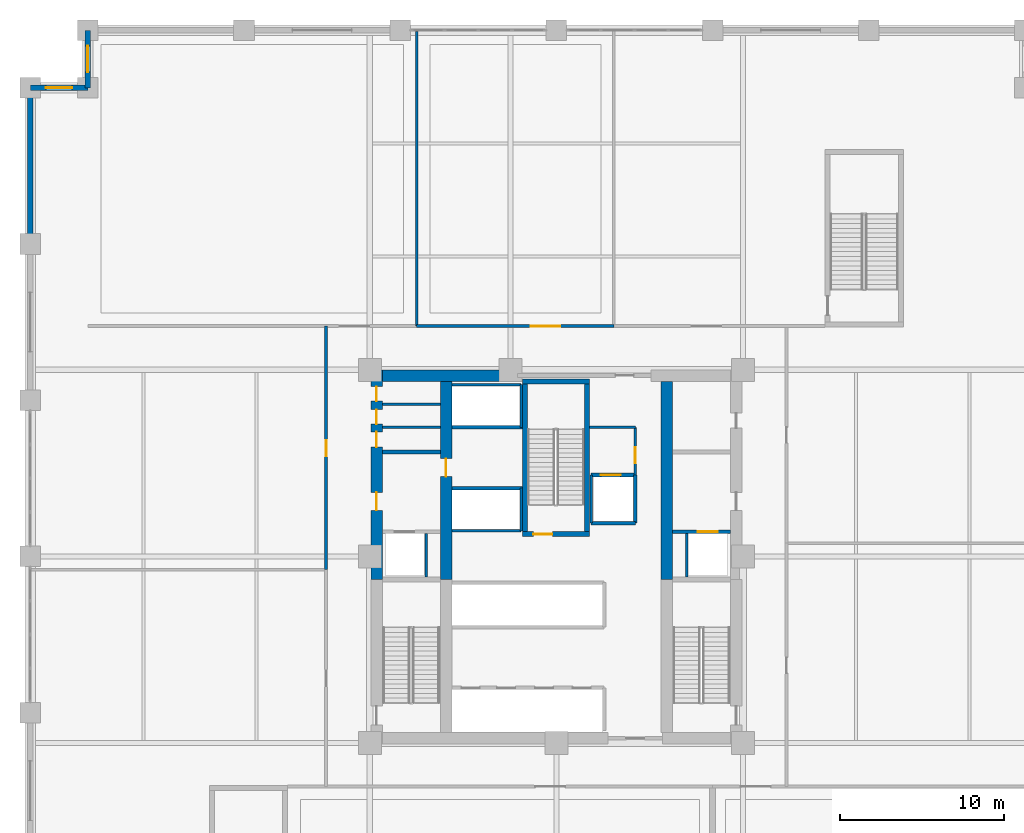
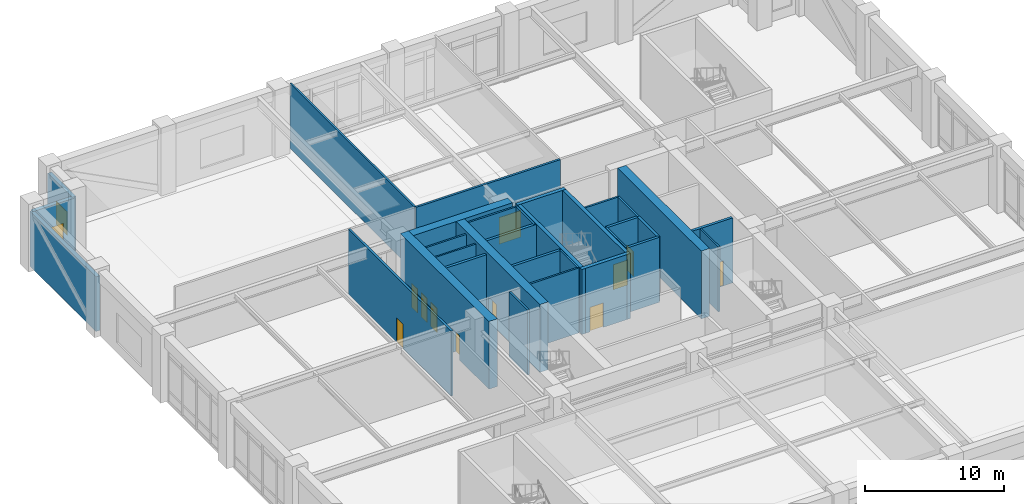
# One storey, part 13 of 21: 32 walls, 11 doors, 2 windows, 13 openings.
"""IFC4 building model written with IfcOpenShell, lengths in metres."""

from ifc_helpers import new_model, si_unit, direction, frame, frame_2d, origin, place, context, subcontext, project, spatial, rectangle, extrude, material, layer, layer_set, type_object, element, fill, save


model = new_model("IFC4")

# Units and contexts
model_context = context("Model", 3, precision=1e-05, world=origin(), true_north=direction((0.0, 1.0)))
body_context = subcontext(model_context, "Body", "Model", "MODEL_VIEW")
ifc_project = project(units=[si_unit("LENGTHUNIT", "METRE"), si_unit("AREAUNIT", "SQUARE_METRE"), si_unit("VOLUMEUNIT", "CUBIC_METRE"), si_unit("PLANEANGLEUNIT", "RADIAN"), si_unit("MASSUNIT", "GRAM", prefix="KILO")], contexts=[model_context])

# Site, building, storey
site_placement = place(None, origin())
site = spatial("IfcSite", under=ifc_project, at=site_placement, CompositionType="ELEMENT")
building_placement = place(site_placement, origin())
building = spatial("IfcBuilding", under=site, at=building_placement, Name="Nhamokura Convention Tower", CompositionType="ELEMENT")
storey_placement = place(building_placement, frame((0.0, 0.0, 17.85009765625)))
storey = spatial("IfcBuildingStorey", under=building, at=storey_placement, Name="L03", CompositionType="ELEMENT", Elevation=17.85009765625)

# Walls
ifc_material_1 = material(Name="Moisture-resistant tile-backer partition", Category="masonry")
ifc_layer_1 = layer(ifc_material_1, 0.139892578125)
ifc_layer_set_1 = layer_set([ifc_layer_1], Name="BathroomWetWall_140")
wall_type_1 = type_object("IfcWallType", Name="BathroomWetWall_140", PredefinedType="STANDARD", material=ifc_layer_set_1)
wall_1_placement = place(storey_placement, frame((21.409912109375, 39.85009765625, 0.0), z_axis=(0.0, 0.0, 1.0), x_axis=(1.0, 0.0, 0.0)))
element("IfcWall", 1, at=wall_1_placement, inside=storey, type_object=wall_type_1, Name="L03 Wall INT-L03-CWNW1", PredefinedType="STANDARD", context=body_context, shape_type="SweptSolid", body=[
    extrude(rectangle(XDim=3.530029296875, YDim=0.139892578125, at=frame_2d((1.76513671875, 0.0))), origin(), (0.0, 0.0, 1.0), 5.7099609375),
])
ifc_material_2 = material(Name="Bronze-pigmented precast concrete C45/55", Category="concrete")
ifc_layer_2 = layer(ifc_material_2, 0.320068359375)
ifc_layer_set_2 = layer_set([ifc_layer_2], Name="BronzePrecastSpandrel_320")
wall_type_2 = type_object("IfcWallType", Name="BronzePrecastSpandrel_320", PredefinedType="USERDEFINED", material=ifc_layer_set_2)
wall_2_placement = place(storey_placement, frame((0.0, 51.0, 0.0), z_axis=(0.0, 0.0, 1.0), x_axis=(0.0, 1.0, 0.0)))
element("IfcWall", 2, at=wall_2_placement, inside=storey, type_object=wall_type_2, Name="L03 Braced-Bay Precast Wall WEST 5", ObjectType="SPANDREL_WALL", PredefinedType="USERDEFINED", context=body_context, shape_type="SweptSolid", body=[
    extrude(rectangle(XDim=9.5, YDim=0.320068359375, at=frame_2d((4.75, 0.0))), origin(), (0.0, 0.0, 1.0), 4.809814453125),
])

# Wall, opening, window
wall_3_placement = place(storey_placement, frame((3.5, 60.5, 0.0), z_axis=(0.0, 0.0, 1.0), x_axis=(0.0, 1.0, 0.0)))
wall_3 = element("IfcWall", 3, at=wall_3_placement, inside=storey, type_object=wall_type_2, Name="L03 Notched Corner Wall NW1", ObjectType="SPANDREL_WALL", PredefinedType="USERDEFINED", context=body_context, shape_type="SweptSolid", body=[
    extrude(rectangle(XDim=3.5, YDim=0.320068359375, at=frame_2d((1.75, 0.0))), origin(), (0.0, 0.0, 1.0), 4.809814453125),
])
opening_1_placement = place(wall_3_placement, frame((0.949951171875, 0.0, 0.85009765625)))
opening_1 = element("IfcOpeningElement", 4, at=opening_1_placement, cuts=wall_3, Name="Opening W-11", PredefinedType="OPENING", context=body_context, shape_type="SweptSolid", body=[
    extrude(rectangle(XDim=1.60009765625, YDim=2.050048828125, at=frame_2d((0.800048828125, 1.02490234375))), frame((0.0, 0.169921875, 0.0), z_axis=(0.0, -1.0, 0.0), x_axis=(1.0, 0.0, 0.0)), (0.0, 0.0, 1.0), 0.340087890625),
])
ifc_material_3 = material(Name="Solar-control bronze low-E double glass", Category="glass")
window_type = type_object("IfcWindowType", Name="NotchCornerWindow_1600", PartitioningType="SINGLE_PANEL", PredefinedType="WINDOW", material=ifc_material_3)
window_1_placement = place(opening_1_placement, origin())
window_1 = element("IfcWindow", 5, at=window_1_placement, inside=storey, type_object=window_type, Name="L03 Notched Corner Window NW1", OverallHeight=2.050048828125, OverallWidth=1.60009765625, PartitioningType="SINGLE_PANEL", PredefinedType="WINDOW", context=body_context, shape_type="SweptSolid", body=[
    extrude(rectangle(XDim=1.60009765625, YDim=2.050048828125, at=frame_2d((0.800048828125, 1.02490234375))), frame((0.0, 0.030029296875, 0.0), z_axis=(0.0, -1.0, 0.0), x_axis=(1.0, 0.0, 0.0)), (0.0, 0.0, 1.0), 0.06005859375),
])
fill(opening_1, window_1)

wall_4_placement = place(storey_placement, frame((0.0, 60.5, 0.0), z_axis=(0.0, 0.0, 1.0), x_axis=(1.0, 0.0, 0.0)))
wall_4 = element("IfcWall", 6, at=wall_4_placement, inside=storey, type_object=wall_type_2, Name="L03 Notched Corner Wall NW2", ObjectType="SPANDREL_WALL", PredefinedType="USERDEFINED", context=body_context, shape_type="SweptSolid", body=[
    extrude(rectangle(XDim=3.5, YDim=0.320068359375, at=frame_2d((1.75, 0.0))), origin(), (0.0, 0.0, 1.0), 4.809814453125),
])
opening_2_placement = place(wall_4_placement, frame((0.949951171875, 0.0, 0.85009765625)))
opening_2 = element("IfcOpeningElement", 7, at=opening_2_placement, cuts=wall_4, Name="Opening W-11", PredefinedType="OPENING", context=body_context, shape_type="SweptSolid", body=[
    extrude(rectangle(XDim=1.60009765625, YDim=2.050048828125, at=frame_2d((0.800048828125, 1.02490234375))), frame((0.0, 0.169921875, 0.0), z_axis=(0.0, -1.0, 0.0), x_axis=(1.0, 0.0, 0.0)), (0.0, 0.0, 1.0), 0.340087890625),
])
window_2_placement = place(opening_2_placement, origin())
window_2 = element("IfcWindow", 8, at=window_2_placement, inside=storey, type_object=window_type, Name="L03 Notched Corner Window NW2", OverallHeight=2.050048828125, OverallWidth=1.60009765625, PartitioningType="SINGLE_PANEL", PredefinedType="WINDOW", context=body_context, shape_type="SweptSolid", body=[
    extrude(rectangle(XDim=1.60009765625, YDim=2.050048828125, at=frame_2d((0.800048828125, 1.02490234375))), frame((0.0, 0.030029296875, 0.0), z_axis=(0.0, -1.0, 0.0), x_axis=(1.0, 0.0, 0.0)), (0.0, 0.0, 1.0), 0.06005859375),
])
fill(opening_2, window_2)

# Wall, openings, doors
ifc_material_4 = material(Name="Concrete C70/85", Category="concrete")
ifc_layer_3 = layer(ifc_material_4, 0.699951171875)
ifc_layer_set_3 = layer_set([ifc_layer_3], Name="CoreShearWall_700")
wall_type_3 = type_object("IfcWallType", Name="CoreShearWall_700", PredefinedType="SHEAR", material=ifc_layer_set_3)
wall_5_placement = place(storey_placement, frame((21.06005859375, 30.60009765625, 0.0), z_axis=(0.0, 0.0, 1.0), x_axis=(0.0, 1.0, 0.0)))
wall_5 = element("IfcWall", 9, at=wall_5_placement, inside=storey, type_object=wall_type_3, Name="L03 Core Shear Wall CW-WN", PredefinedType="SHEAR", context=body_context, shape_type="SweptSolid", body=[
    extrude(rectangle(XDim=12.75, YDim=0.699951171875, at=frame_2d((6.375, 0.0))), origin(), (0.0, 0.0, 1.0), 5.949951171875),
])
opening_3_placement = place(wall_5_placement, frame((4.199951171875, 0.0, 0.0)))
opening_3 = element("IfcOpeningElement", 10, at=opening_3_placement, cuts=wall_5, Name="Opening D-05", PredefinedType="OPENING", context=body_context, shape_type="SweptSolid", body=[
    extrude(rectangle(XDim=1.10009765625, YDim=2.14990234375, at=frame_2d((0.550048828125, 1.074951171875))), frame((0.0, 0.35986328125, 0.0), z_axis=(0.0, -1.0, 0.0), x_axis=(1.0, 0.0, 0.0)), (0.0, 0.0, 1.0), 0.719970703125),
])
opening_4_placement = place(wall_5_placement, frame((8.050048828125, 0.0, 0.0)))
opening_4 = element("IfcOpeningElement", 11, at=opening_4_placement, cuts=wall_5, Name="Opening D-10", PredefinedType="OPENING", context=body_context, shape_type="SweptSolid", body=[
    extrude(rectangle(XDim=0.919921875, YDim=2.10009765625, at=frame_2d((0.4599609375, 1.050048828125))), frame((0.0, 0.35986328125, 0.0), z_axis=(0.0, -1.0, 0.0), x_axis=(1.0, 0.0, 0.0)), (0.0, 0.0, 1.0), 0.719970703125),
])
opening_5_placement = place(wall_5_placement, frame((9.449951171875, 0.0, 0.0)))
opening_5 = element("IfcOpeningElement", 12, at=opening_5_placement, cuts=wall_5, Name="Opening D-11", PredefinedType="OPENING", context=body_context, shape_type="SweptSolid", body=[
    extrude(rectangle(XDim=0.8798828125, YDim=2.10009765625, at=frame_2d((0.43994140625, 1.050048828125))), frame((0.0, 0.35986328125, 0.0), z_axis=(0.0, -1.0, 0.0), x_axis=(1.0, 0.0, 0.0)), (0.0, 0.0, 1.0), 0.719970703125),
])
opening_6_placement = place(wall_5_placement, frame((10.85009765625, 0.0, 0.0)))
opening_6 = element("IfcOpeningElement", 13, at=opening_6_placement, cuts=wall_5, Name="Opening D-11", PredefinedType="OPENING", context=body_context, shape_type="SweptSolid", body=[
    extrude(rectangle(XDim=0.8798828125, YDim=2.10009765625, at=frame_2d((0.43994140625, 1.050048828125))), frame((0.0, 0.35986328125, 0.0), z_axis=(0.0, -1.0, 0.0), x_axis=(1.0, 0.0, 0.0)), (0.0, 0.0, 1.0), 0.719970703125),
])
ifc_material_5 = material(Name="Solid oak hardwood", Category="wood")
door_type_1 = type_object("IfcDoorType", Name="AccessibleWCDoor_920", OperationType="NOTDEFINED", PredefinedType="DOOR", material=ifc_material_5)
door_1_placement = place(opening_4_placement, origin())
door_1 = element("IfcDoor", 14, at=door_1_placement, inside=storey, type_object=door_type_1, Name="L03 Core Door INT-L03-D-AWC", OperationType="SINGLE_SWING_LEFT", OverallHeight=2.10009765625, OverallWidth=0.919921875, PredefinedType="DOOR", context=body_context, shape_type="SweptSolid", body=[
    extrude(rectangle(XDim=0.919921875, YDim=2.10009765625, at=frame_2d((0.4599609375, 1.050048828125))), frame((0.0, 0.02490234375, 0.0), z_axis=(0.0, -1.0, 0.0), x_axis=(1.0, 0.0, 0.0)), (0.0, 0.0, 1.0), 0.050048828125),
])
fill(opening_4, door_1)
ifc_material_6 = material(Name="Solid oak hardwood", Category="wood")
door_type_2 = type_object("IfcDoorType", Name="BathroomDoor_880", OperationType="NOTDEFINED", PredefinedType="DOOR", material=ifc_material_6)
door_2_placement = place(opening_5_placement, origin())
door_2 = element("IfcDoor", 15, at=door_2_placement, inside=storey, type_object=door_type_2, Name="L03 Core Door INT-L03-D-CLN", OperationType="SINGLE_SWING_RIGHT", OverallHeight=2.10009765625, OverallWidth=0.8798828125, PredefinedType="DOOR", context=body_context, shape_type="SweptSolid", body=[
    extrude(rectangle(XDim=0.8798828125, YDim=2.10009765625, at=frame_2d((0.43994140625, 1.050048828125))), frame((0.0, 0.02490234375, 0.0), z_axis=(0.0, -1.0, 0.0), x_axis=(1.0, 0.0, 0.0)), (0.0, 0.0, 1.0), 0.050048828125),
])
fill(opening_5, door_2)
door_3_placement = place(opening_6_placement, origin())
door_3 = element("IfcDoor", 16, at=door_3_placement, inside=storey, type_object=door_type_2, Name="L03 Core Door INT-L03-D-PNT", OperationType="SINGLE_SWING_LEFT", OverallHeight=2.10009765625, OverallWidth=0.8798828125, PredefinedType="DOOR", context=body_context, shape_type="SweptSolid", body=[
    extrude(rectangle(XDim=0.8798828125, YDim=2.10009765625, at=frame_2d((0.43994140625, 1.050048828125))), frame((0.0, 0.02490234375, 0.0), z_axis=(0.0, -1.0, 0.0), x_axis=(1.0, 0.0, 0.0)), (0.0, 0.0, 1.0), 0.050048828125),
])
fill(opening_6, door_3)
ifc_material_7 = material(Name="Fire-rated steel door", Category="steel")
door_type_3 = type_object("IfcDoorType", Name="FireLobbyDoor_1100", OperationType="NOTDEFINED", PredefinedType="DOOR", material=ifc_material_7)
door_4_placement = place(opening_3_placement, origin())
door_4 = element("IfcDoor", 17, at=door_4_placement, inside=storey, type_object=door_type_3, Name="L03 Core Door INT-L03-D-FFLW", OperationType="SINGLE_SWING_RIGHT", OverallHeight=2.14990234375, OverallWidth=1.10009765625, PredefinedType="DOOR", context=body_context, shape_type="SweptSolid", body=[
    extrude(rectangle(XDim=1.10009765625, YDim=2.14990234375, at=frame_2d((0.550048828125, 1.074951171875))), frame((0.0, 0.02490234375, 0.0), z_axis=(0.0, -1.0, 0.0), x_axis=(1.0, 0.0, 0.0)), (0.0, 0.0, 1.0), 0.050048828125),
])
fill(opening_3, door_4)

# Wall
wall_6_placement = place(storey_placement, frame((21.409912109375, 43.0, 0.0), z_axis=(0.0, 0.0, 1.0), x_axis=(1.0, 0.0, 0.0)))
element("IfcWall", 18, at=wall_6_placement, inside=storey, type_object=wall_type_3, Name="L03 Core Shear Wall CW-N1", PredefinedType="SHEAR", context=body_context, shape_type="SweptSolid", body=[
    extrude(rectangle(XDim=8.239990234375, YDim=0.699951171875, at=frame_2d((4.1201171875, 0.0))), origin(), (0.0, 0.0, 1.0), 5.949951171875),
])

# Wall, opening, door
wall_7_placement = place(storey_placement, frame((25.2900390625, 30.60009765625, 0.0), z_axis=(0.0, 0.0, 1.0), x_axis=(0.0, 1.0, 0.0)))
wall_7 = element("IfcWall", 19, at=wall_7_placement, inside=storey, type_object=wall_type_3, Name="L03 Core Shear Wall CW-IWN", PredefinedType="SHEAR", context=body_context, shape_type="SweptSolid", body=[
    extrude(rectangle(XDim=12.0498046875, YDim=0.699951171875, at=frame_2d((6.02490234375, 0.0))), origin(), (0.0, 0.0, 1.0), 5.949951171875),
])
opening_7_placement = place(wall_7_placement, frame((6.25, 0.0, 0.0)))
opening_7 = element("IfcOpeningElement", 20, at=opening_7_placement, cuts=wall_7, Name="Opening D-05", PredefinedType="OPENING", context=body_context, shape_type="SweptSolid", body=[
    extrude(rectangle(XDim=1.10009765625, YDim=2.14990234375, at=frame_2d((0.550048828125, 1.074951171875))), frame((0.0, 0.35986328125, 0.0), z_axis=(0.0, -1.0, 0.0), x_axis=(1.0, 0.0, 0.0)), (0.0, 0.0, 1.0), 0.719970703125),
])
door_5_placement = place(opening_7_placement, origin())
door_5 = element("IfcDoor", 21, at=door_5_placement, inside=storey, type_object=door_type_3, Name="L03 Core Door INT-L03-D-B3LOB", OperationType="SINGLE_SWING_LEFT", OverallHeight=2.14990234375, OverallWidth=1.10009765625, PredefinedType="DOOR", context=body_context, shape_type="SweptSolid", body=[
    extrude(rectangle(XDim=1.10009765625, YDim=2.14990234375, at=frame_2d((0.550048828125, 1.074951171875))), frame((0.0, 0.02490234375, 0.0), z_axis=(0.0, -1.0, 0.0), x_axis=(1.0, 0.0, 0.0)), (0.0, 0.0, 1.0), 0.050048828125),
])
fill(opening_7, door_5)

# Wall
wall_8_placement = place(storey_placement, frame((38.7099609375, 30.60009765625, 0.0), z_axis=(0.0, 0.0, 1.0), x_axis=(0.0, 1.0, 0.0)))
element("IfcWall", 22, at=wall_8_placement, inside=storey, type_object=wall_type_3, Name="L03 Core Shear Wall CW-IEN", PredefinedType="SHEAR", context=body_context, shape_type="SweptSolid", body=[
    extrude(rectangle(XDim=12.0498046875, YDim=0.699951171875, at=frame_2d((6.02490234375, 0.0))), origin(), (0.0, 0.0, 1.0), 5.949951171875),
])

# Wall, opening, door
ifc_material_8 = material(Name="Fire-rated gypsum and masonry partition", Category="masonry")
ifc_layer_4 = layer(ifc_material_8, 0.179931640625)
ifc_layer_set_4 = layer_set([ifc_layer_4], Name="CorridorRatedWall_180")
wall_type_4 = type_object("IfcWallType", Name="CorridorRatedWall_180", PredefinedType="STANDARD", material=ifc_layer_set_4)
wall_9_placement = place(storey_placement, frame((23.5, 46.0, 0.0), z_axis=(0.0, 0.0, 1.0), x_axis=(1.0, 0.0, 0.0)))
wall_9 = element("IfcWall", 23, at=wall_9_placement, inside=storey, type_object=wall_type_4, Name="L03 Wall INT-L03-CW-N01", PredefinedType="STANDARD", context=body_context, shape_type="SweptSolid", body=[
    extrude(rectangle(XDim=12.0, YDim=0.179931640625, at=frame_2d((6.0, 0.0))), origin(), (0.0, 0.0, 1.0), 5.7099609375),
])
opening_8_placement = place(wall_9_placement, frame((6.949951171875, 0.0, 0.0)))
opening_8 = element("IfcOpeningElement", 24, at=opening_8_placement, cuts=wall_9, Name="Opening D-03", PredefinedType="OPENING", context=body_context, shape_type="SweptSolid", body=[
    extrude(rectangle(XDim=1.800048828125, YDim=2.35009765625, at=frame_2d((0.89990234375, 1.175048828125))), frame((0.0, 0.099853515625, 0.0), z_axis=(0.0, -1.0, 0.0), x_axis=(1.0, 0.0, 0.0)), (0.0, 0.0, 1.0), 0.199951171875),
])
ifc_material_9 = material(Name="Solid oak hardwood", Category="wood")
door_type_4 = type_object("IfcDoorType", Name="BallroomDoubleDoor_1800", OperationType="DOUBLE_DOOR_SINGLE_SWING", PredefinedType="DOOR", material=ifc_material_9)
door_6_placement = place(opening_8_placement, origin())
door_6 = element("IfcDoor", 25, at=door_6_placement, inside=storey, type_object=door_type_4, Name="L03 Private Office N02 Door", OperationType="SINGLE_SWING_RIGHT", OverallHeight=2.35009765625, OverallWidth=1.800048828125, PredefinedType="DOOR", context=body_context, shape_type="SweptSolid", body=[
    extrude(rectangle(XDim=1.800048828125, YDim=2.35009765625, at=frame_2d((0.89990234375, 1.175048828125))), frame((0.0, 0.02490234375, 0.0), z_axis=(0.0, -1.0, 0.0), x_axis=(1.0, 0.0, 0.0)), (0.0, 0.0, 1.0), 0.050048828125),
])
fill(opening_8, door_6)

wall_10_placement = place(storey_placement, frame((18.0, 31.199951171875, 0.0), z_axis=(0.0, 0.0, 1.0), x_axis=(0.0, 1.0, 0.0)))
wall_10 = element("IfcWall", 26, at=wall_10_placement, inside=storey, type_object=wall_type_4, Name="L03 Wall INT-L03-CW-W01", PredefinedType="STANDARD", context=body_context, shape_type="SweptSolid", body=[
    extrude(rectangle(XDim=14.800048828125, YDim=0.179931640625, at=frame_2d((7.39990234375, 0.0))), origin(), (0.0, 0.0, 1.0), 5.7099609375),
])
opening_9_placement = place(wall_10_placement, frame((6.89990234375, 0.0, 0.0)))
opening_9 = element("IfcOpeningElement", 27, at=opening_9_placement, cuts=wall_10, Name="Opening D-09", PredefinedType="OPENING", context=body_context, shape_type="SweptSolid", body=[
    extrude(rectangle(XDim=0.949951171875, YDim=2.14990234375, at=frame_2d((0.47509765625, 1.074951171875))), frame((0.0, 0.099853515625, 0.0), z_axis=(0.0, -1.0, 0.0), x_axis=(1.0, 0.0, 0.0)), (0.0, 0.0, 1.0), 0.199951171875),
])
ifc_material_10 = material(Name="Solid oak hardwood", Category="wood")
door_type_5 = type_object("IfcDoorType", Name="MeetingRoomDoor_950", OperationType="NOTDEFINED", PredefinedType="DOOR", material=ifc_material_10)
door_7_placement = place(opening_9_placement, origin())
door_7 = element("IfcDoor", 28, at=door_7_placement, inside=storey, type_object=door_type_5, Name="L03 Meeting Room W02 Door", OperationType="SINGLE_SWING_RIGHT", OverallHeight=2.14990234375, OverallWidth=0.949951171875, PredefinedType="DOOR", context=body_context, shape_type="SweptSolid", body=[
    extrude(rectangle(XDim=0.949951171875, YDim=2.14990234375, at=frame_2d((0.47509765625, 1.074951171875))), frame((0.0, 0.02490234375, 0.0), z_axis=(0.0, -1.0, 0.0), x_axis=(1.0, 0.0, 0.0)), (0.0, 0.0, 1.0), 0.050048828125),
])
fill(opening_9, door_7)

ifc_material_11 = material(Name="Autoclaved concrete blockwork", Category="masonry")
ifc_layer_5 = layer(ifc_material_11, 0.219970703125)
ifc_layer_set_5 = layer_set([ifc_layer_5], Name="FireLobbyWall_220")
wall_type_5 = type_object("IfcWallType", Name="FireLobbyWall_220", PredefinedType="STANDARD", material=ifc_layer_set_5)
wall_11_placement = place(storey_placement, frame((39.06005859375, 33.5, 0.0), z_axis=(0.0, 0.0, 1.0), x_axis=(1.0, 0.0, 0.0)))
wall_11 = element("IfcWall", 29, at=wall_11_placement, inside=storey, type_object=wall_type_5, Name="L03 Wall INT-L03-FFE-S", PredefinedType="STANDARD", context=body_context, shape_type="SweptSolid", body=[
    extrude(rectangle(XDim=3.530029296875, YDim=0.219970703125, at=frame_2d((1.76513671875, 0.0))), origin(), (0.0, 0.0, 1.0), 5.7099609375),
])
opening_10_placement = place(wall_11_placement, frame((1.550048828125, 0.0, 0.0)))
opening_10 = element("IfcOpeningElement", 30, at=opening_10_placement, cuts=wall_11, Name="Opening LD-02", PredefinedType="OPENING", context=body_context, shape_type="SweptSolid", body=[
    extrude(rectangle(XDim=1.199951171875, YDim=2.199951171875, at=frame_2d((0.60009765625, 1.10009765625))), frame((0.0, 0.119873046875, 0.0), z_axis=(0.0, -1.0, 0.0), x_axis=(1.0, 0.0, 0.0)), (0.0, 0.0, 1.0), 0.239990234375),
])
ifc_material_12 = material(Name="Anodised bronze stainless steel", Category="steel")
door_type_6 = type_object("IfcDoorType", Name="LiftLandingDoor_FireService", OperationType="DOUBLE_DOOR_SLIDING", PredefinedType="DOOR", material=ifc_material_12)
door_8_placement = place(opening_10_placement, origin())
door_8 = element("IfcDoor", 31, at=door_8_placement, inside=storey, type_object=door_type_6, Name="L03 Firefighting Lift LF-02 Door", OperationType="DOUBLE_DOOR_SLIDING", OverallHeight=2.199951171875, OverallWidth=1.199951171875, PredefinedType="DOOR", context=body_context, shape_type="SweptSolid", body=[
    extrude(rectangle(XDim=1.199951171875, YDim=2.199951171875, at=frame_2d((0.60009765625, 1.10009765625))), frame((0.0, 0.02490234375, 0.0), z_axis=(0.0, -1.0, 0.0), x_axis=(1.0, 0.0, 0.0)), (0.0, 0.0, 1.0), 0.050048828125),
])
fill(opening_10, door_8)

# Walls
wall_12_placement = place(storey_placement, frame((21.409912109375, 38.35009765625, 0.0), z_axis=(0.0, 0.0, 1.0), x_axis=(1.0, 0.0, 0.0)))
element("IfcWall", 32, at=wall_12_placement, inside=storey, type_object=wall_type_5, Name="L03 Wall INT-L03-FFW-N", PredefinedType="STANDARD", context=body_context, shape_type="SweptSolid", body=[
    extrude(rectangle(XDim=3.530029296875, YDim=0.219970703125, at=frame_2d((1.76513671875, 0.0))), origin(), (0.0, 0.0, 1.0), 5.7099609375),
])
for number, where, z_axis, x_axis, name in (
    (33, (25.64990234375, 36.14990234375, 0.0), (0.0, 0.0, 1.0), (1.0, 0.0, 0.0), "L03 Wall INT-L03-B3S"),
    (34, (25.64990234375, 39.85009765625, 0.0), (0.0, 0.0, 1.0), (1.0, 0.0, 0.0), "L03 Wall INT-L03-B3N"),
):
    element("IfcWall", number, at=place(storey_placement, frame(where, z_axis=z_axis, x_axis=x_axis)), inside=storey, type_object=wall_type_5, Name=name, PredefinedType="STANDARD", context=body_context, shape_type="SweptSolid", body=[
        extrude(rectangle(XDim=4.300048828125, YDim=0.219970703125, at=frame_2d((2.14990234375, 0.0))), origin(), (0.0, 0.0, 1.0), 5.7099609375),
    ])

# Wall, opening, door
wall_13_placement = place(storey_placement, frame((34.1201171875, 36.949951171875, 0.0), z_axis=(0.0, 0.0, 1.0), x_axis=(1.0, 0.0, 0.0)))
wall_13 = element("IfcWall", 35, at=wall_13_placement, inside=storey, type_object=wall_type_5, Name="L03 Wall INT-L03-LSN", PredefinedType="STANDARD", context=body_context, shape_type="SweptSolid", body=[
    extrude(rectangle(XDim=2.679931640625, YDim=0.219970703125, at=frame_2d((1.33984375, 0.0))), origin(), (0.0, 0.0, 1.0), 5.7099609375),
])
opening_11_placement = place(wall_13_placement, frame((0.580078125, 0.0, 0.0)))
opening_11 = element("IfcOpeningElement", 36, at=opening_11_placement, cuts=wall_13, Name="Opening LD-02", PredefinedType="OPENING", context=body_context, shape_type="SweptSolid", body=[
    extrude(rectangle(XDim=1.199951171875, YDim=2.199951171875, at=frame_2d((0.60009765625, 1.10009765625))), frame((0.0, 0.119873046875, 0.0), z_axis=(0.0, -1.0, 0.0), x_axis=(1.0, 0.0, 0.0)), (0.0, 0.0, 1.0), 0.239990234375),
])
door_9_placement = place(opening_11_placement, origin())
door_9 = element("IfcDoor", 37, at=door_9_placement, inside=storey, type_object=door_type_6, Name="L03 Service Lift LS-01 Door", OperationType="DOUBLE_DOOR_SLIDING", OverallHeight=2.199951171875, OverallWidth=1.199951171875, PredefinedType="DOOR", context=body_context, shape_type="SweptSolid", body=[
    extrude(rectangle(XDim=1.199951171875, YDim=2.199951171875, at=frame_2d((0.60009765625, 1.10009765625))), frame((0.0, 0.02490234375, 0.0), z_axis=(0.0, -1.0, 0.0), x_axis=(1.0, 0.0, 0.0)), (0.0, 0.0, 1.0), 0.050048828125),
])
fill(opening_11, door_9)

# Walls
wall_14_placement = place(storey_placement, frame((36.800048828125, 34.02001953125, 0.0), z_axis=(0.0, 0.0, 1.0), x_axis=(0.0, 1.0, 0.0)))
element("IfcWall", 38, at=wall_14_placement, inside=storey, type_object=wall_type_5, Name="L03 Wall INT-L03-LSE", PredefinedType="STANDARD", context=body_context, shape_type="SweptSolid", body=[
    extrude(rectangle(XDim=2.929931640625, YDim=0.219970703125, at=frame_2d((1.46484375, 0.0))), origin(), (0.0, 0.0, 1.0), 5.7099609375),
])
wall_15_placement = place(storey_placement, frame((34.1201171875, 34.02001953125, 0.0), z_axis=(0.0, 0.0, 1.0), x_axis=(1.0, 0.0, 0.0)))
element("IfcWall", 39, at=wall_15_placement, inside=storey, type_object=wall_type_5, Name="L03 Wall INT-L03-LSS", PredefinedType="STANDARD", context=body_context, shape_type="SweptSolid", body=[
    extrude(rectangle(XDim=2.679931640625, YDim=0.219970703125, at=frame_2d((1.33984375, 0.0))), origin(), (0.0, 0.0, 1.0), 5.7099609375),
])
ifc_material_13 = material(Name="Acoustic gypsum stud partition", Category="masonry")
ifc_layer_6 = layer(ifc_material_13, 0.14990234375)
ifc_layer_set_6 = layer_set([ifc_layer_6], Name="InteriorPartition_150")
wall_type_6 = type_object("IfcWallType", Name="InteriorPartition_150", PredefinedType="STANDARD", material=ifc_layer_set_6)
for number, where, z_axis, x_axis, name in (
    (40, (24.080078125, 30.75, 0.0), (0.0, 0.0, 1.0), (0.0, 1.0, 0.0), "L03 Wall INT-L03-FF1-E"),
    (41, (39.919921875, 30.75, 0.0), (0.0, 0.0, 1.0), (0.0, 1.0, 0.0), "L03 Wall INT-L03-FF2-W"),
):
    element("IfcWall", number, at=place(storey_placement, frame(where, z_axis=z_axis, x_axis=x_axis)), inside=storey, type_object=wall_type_6, Name=name, PredefinedType="STANDARD", context=body_context, shape_type="SweptSolid", body=[
        extrude(rectangle(XDim=2.64990234375, YDim=0.14990234375, at=frame_2d((1.324951171875, 0.0))), origin(), (0.0, 0.0, 1.0), 5.7099609375),
    ])
wall_16_placement = place(storey_placement, frame((21.409912109375, 41.25, 0.0), z_axis=(0.0, 0.0, 1.0), x_axis=(1.0, 0.0, 0.0)))
element("IfcWall", 42, at=wall_16_placement, inside=storey, type_object=wall_type_6, Name="L03 Wall INT-L03-CWNW2", PredefinedType="STANDARD", context=body_context, shape_type="SweptSolid", body=[
    extrude(rectangle(XDim=3.530029296875, YDim=0.14990234375, at=frame_2d((1.76513671875, 0.0))), origin(), (0.0, 0.0, 1.0), 5.7099609375),
])
wall_17_placement = place(storey_placement, frame((34.0, 39.85009765625, 0.0), z_axis=(0.0, 0.0, 1.0), x_axis=(1.0, 0.0, 0.0)))
element("IfcWall", 43, at=wall_17_placement, inside=storey, type_object=wall_type_6, Name="L03 Wall INT-L03-NE-TELN", PredefinedType="STANDARD", context=body_context, shape_type="SweptSolid", body=[
    extrude(rectangle(XDim=2.800048828125, YDim=0.14990234375, at=frame_2d((1.39990234375, 0.0))), origin(), (0.0, 0.0, 1.0), 5.7099609375),
])

# Wall, opening, door
wall_18_placement = place(storey_placement, frame((36.800048828125, 36.949951171875, 0.0), z_axis=(0.0, 0.0, 1.0), x_axis=(0.0, 1.0, 0.0)))
wall_18 = element("IfcWall", 44, at=wall_18_placement, inside=storey, type_object=wall_type_6, Name="L03 Wall INT-L03-NE-TELE", PredefinedType="STANDARD", context=body_context, shape_type="SweptSolid", body=[
    extrude(rectangle(XDim=2.900146484375, YDim=0.14990234375, at=frame_2d((1.4501953125, 0.0))), origin(), (0.0, 0.0, 1.0), 5.7099609375),
])
opening_12_placement = place(wall_18_placement, frame((0.699951171875, 0.0, 0.0)))
opening_12 = element("IfcOpeningElement", 45, at=opening_12_placement, cuts=wall_18, Name="Opening D-08", PredefinedType="OPENING", context=body_context, shape_type="SweptSolid", body=[
    extrude(rectangle(XDim=0.97998046875, YDim=2.199951171875, at=frame_2d((0.489990234375, 1.10009765625))), frame((0.0, 0.0849609375, 0.0), z_axis=(0.0, -1.0, 0.0), x_axis=(1.0, 0.0, 0.0)), (0.0, 0.0, 1.0), 0.169921875),
])
ifc_material_14 = material(Name="Solid oak hardwood", Category="wood")
door_type_7 = type_object("IfcDoorType", Name="OfficeEntryDoor_980", OperationType="NOTDEFINED", PredefinedType="DOOR", material=ifc_material_14)
door_10_placement = place(opening_12_placement, origin())
door_10 = element("IfcDoor", 46, at=door_10_placement, inside=storey, type_object=door_type_7, Name="L03 Core Telecom Door", OperationType="SINGLE_SWING_LEFT", OverallHeight=2.199951171875, OverallWidth=0.97998046875, PredefinedType="DOOR", context=body_context, shape_type="SweptSolid", body=[
    extrude(rectangle(XDim=0.97998046875, YDim=2.199951171875, at=frame_2d((0.489990234375, 1.10009765625))), frame((0.0, 0.02490234375, 0.0), z_axis=(0.0, -1.0, 0.0), x_axis=(1.0, 0.0, 0.0)), (0.0, 0.0, 1.0), 0.050048828125),
])
fill(opening_12, door_10)

# Walls
wall_19_placement = place(storey_placement, frame((25.64990234375, 33.550048828125, 0.0), z_axis=(0.0, 0.0, 1.0), x_axis=(1.0, 0.0, 0.0)))
element("IfcWall", 47, at=wall_19_placement, inside=storey, type_object=wall_type_6, Name="L03 Wall INT-L03-B3A-S", PredefinedType="STANDARD", context=body_context, shape_type="SweptSolid", body=[
    extrude(rectangle(XDim=4.2001953125, YDim=0.14990234375, at=frame_2d((2.10009765625, 0.0))), origin(), (0.0, 0.0, 1.0), 5.7099609375),
])
wall_20_placement = place(storey_placement, frame((29.85009765625, 33.550048828125, 0.0), z_axis=(0.0, 0.0, 1.0), x_axis=(0.0, 1.0, 0.0)))
element("IfcWall", 48, at=wall_20_placement, inside=storey, type_object=wall_type_6, Name="L03 Wall INT-L03-B3A-E", PredefinedType="STANDARD", context=body_context, shape_type="SweptSolid", body=[
    extrude(rectangle(XDim=2.599853515625, YDim=0.14990234375, at=frame_2d((1.2998046875, 0.0))), origin(), (0.0, 0.0, 1.0), 5.7099609375),
])
wall_21_placement = place(storey_placement, frame((25.64990234375, 42.449951171875, 0.0), z_axis=(0.0, 0.0, 1.0), x_axis=(1.0, 0.0, 0.0)))
element("IfcWall", 49, at=wall_21_placement, inside=storey, type_object=wall_type_6, Name="L03 Wall INT-L03-B3B-N", PredefinedType="STANDARD", context=body_context, shape_type="SweptSolid", body=[
    extrude(rectangle(XDim=4.2001953125, YDim=0.14990234375, at=frame_2d((2.10009765625, 0.0))), origin(), (0.0, 0.0, 1.0), 5.7099609375),
])
wall_22_placement = place(storey_placement, frame((29.85009765625, 39.85009765625, 0.0), z_axis=(0.0, 0.0, 1.0), x_axis=(0.0, 1.0, 0.0)))
element("IfcWall", 50, at=wall_22_placement, inside=storey, type_object=wall_type_6, Name="L03 Wall INT-L03-B3B-E", PredefinedType="STANDARD", context=body_context, shape_type="SweptSolid", body=[
    extrude(rectangle(XDim=2.599853515625, YDim=0.14990234375, at=frame_2d((1.2998046875, 0.0))), origin(), (0.0, 0.0, 1.0), 5.7099609375),
])
wall_23_placement = place(storey_placement, frame((34.1201171875, 34.02001953125, 0.0), z_axis=(0.0, 0.0, 1.0), x_axis=(0.0, 1.0, 0.0)))
element("IfcWall", 51, at=wall_23_placement, inside=storey, type_object=wall_type_6, Name="L03 Wall INT-L03-LSW", PredefinedType="STANDARD", context=body_context, shape_type="SweptSolid", body=[
    extrude(rectangle(XDim=2.929931640625, YDim=0.14990234375, at=frame_2d((1.46484375, 0.0))), origin(), (0.0, 0.0, 1.0), 5.7099609375),
])
wall_24_placement = place(storey_placement, frame((23.5, 46.0, 0.0), z_axis=(0.0, 0.0, 1.0), x_axis=(0.0, 1.0, 0.0)))
element("IfcWall", 52, at=wall_24_placement, inside=storey, type_object=wall_type_6, Name="L03 Wall INT-L03-RW-N01", PredefinedType="STANDARD", context=body_context, shape_type="SweptSolid", body=[
    extrude(rectangle(XDim=17.93994140625, YDim=0.14990234375, at=frame_2d((8.969970703125, 0.0))), origin(), (0.0, 0.0, 1.0), 5.7099609375),
])
ifc_material_15 = material(Name="Concrete C50/60", Category="concrete")
ifc_layer_7 = layer(ifc_material_15, 0.300048828125)
ifc_layer_set_7 = layer_set([ifc_layer_7], Name="ShaftEnclosureWall_300")
wall_type_7 = type_object("IfcWallType", Name="ShaftEnclosureWall_300", PredefinedType="SHEAR", material=ifc_layer_set_7)
for number, where, z_axis, x_axis, name in (
    (53, (30.10009765625, 33.199951171875, 0.0), (0.0, 0.0, 1.0), (0.0, 1.0, 0.0), "L03 Wall INT-L03-ST03W"),
    (54, (33.85009765625, 33.199951171875, 0.0), (0.0, 0.0, 1.0), (0.0, 1.0, 0.0), "L03 Wall INT-L03-ST03E"),
):
    element("IfcWall", number, at=place(storey_placement, frame(where, z_axis=z_axis, x_axis=x_axis)), inside=storey, type_object=wall_type_7, Name=name, PredefinedType="SHEAR", context=body_context, shape_type="SweptSolid", body=[
        extrude(rectangle(XDim=9.60009765625, YDim=0.300048828125, at=frame_2d((4.800048828125, 0.0))), origin(), (0.0, 0.0, 1.0), 5.7099609375),
    ])

# Wall, opening, door
wall_25_placement = place(storey_placement, frame((29.949951171875, 33.35009765625, 0.0), z_axis=(0.0, 0.0, 1.0), x_axis=(1.0, 0.0, 0.0)))
wall_25 = element("IfcWall", 55, at=wall_25_placement, inside=storey, type_object=wall_type_7, Name="L03 Wall INT-L03-ST03S", PredefinedType="SHEAR", context=body_context, shape_type="SweptSolid", body=[
    extrude(rectangle(XDim=4.050048828125, YDim=0.300048828125, at=frame_2d((2.02490234375, 0.0))), origin(), (0.0, 0.0, 1.0), 5.7099609375),
])
opening_13_placement = place(wall_25_placement, frame((0.64990234375, 0.0, 0.0)))
opening_13 = element("IfcOpeningElement", 56, at=opening_13_placement, cuts=wall_25, Name="Opening D-04", PredefinedType="OPENING", context=body_context, shape_type="SweptSolid", body=[
    extrude(rectangle(XDim=1.14990234375, YDim=2.14990234375, at=frame_2d((0.574951171875, 1.074951171875))), frame((0.0, 0.159912109375, 0.0), z_axis=(0.0, -1.0, 0.0), x_axis=(1.0, 0.0, 0.0)), (0.0, 0.0, 1.0), 0.320068359375),
])
ifc_material_16 = material(Name="Fire-rated steel door", Category="steel")
door_type_8 = type_object("IfcDoorType", Name="StairSmokeDoor_1150", OperationType="NOTDEFINED", PredefinedType="DOOR", material=ifc_material_16)
door_11_placement = place(opening_13_placement, origin())
door_11 = element("IfcDoor", 57, at=door_11_placement, inside=storey, type_object=door_type_8, Name="L03 Stair ST-03 Smoke Door", OperationType="SINGLE_SWING_LEFT", OverallHeight=2.14990234375, OverallWidth=1.14990234375, PredefinedType="DOOR", context=body_context, shape_type="SweptSolid", body=[
    extrude(rectangle(XDim=1.14990234375, YDim=2.14990234375, at=frame_2d((0.574951171875, 1.074951171875))), frame((0.0, 0.02490234375, 0.0), z_axis=(0.0, -1.0, 0.0), x_axis=(1.0, 0.0, 0.0)), (0.0, 0.0, 1.0), 0.050048828125),
])
fill(opening_13, door_11)

# Wall
wall_26_placement = place(storey_placement, frame((29.949951171875, 42.64990234375, 0.0), z_axis=(0.0, 0.0, 1.0), x_axis=(1.0, 0.0, 0.0)))
element("IfcWall", 58, at=wall_26_placement, inside=storey, type_object=wall_type_7, Name="L03 Wall INT-L03-ST03N", PredefinedType="SHEAR", context=body_context, shape_type="SweptSolid", body=[
    extrude(rectangle(XDim=4.050048828125, YDim=0.300048828125, at=frame_2d((2.02490234375, 0.0))), origin(), (0.0, 0.0, 1.0), 5.7099609375),
])

save(model, "model.ifc")
